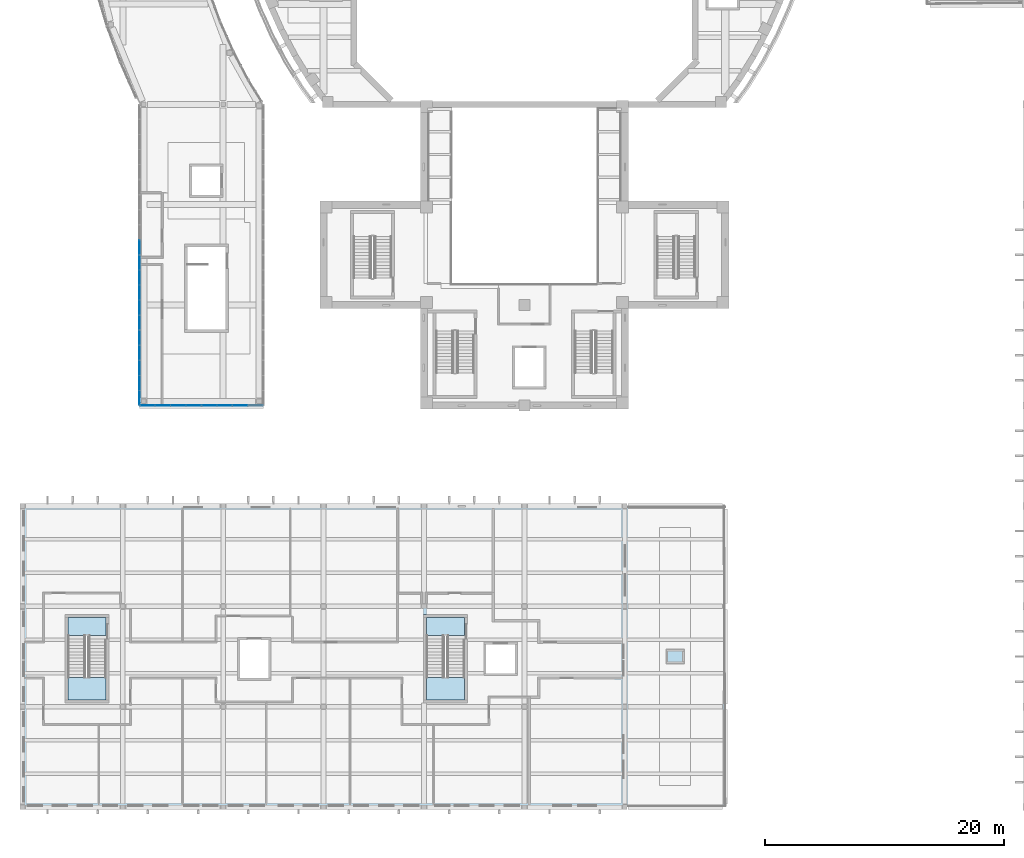
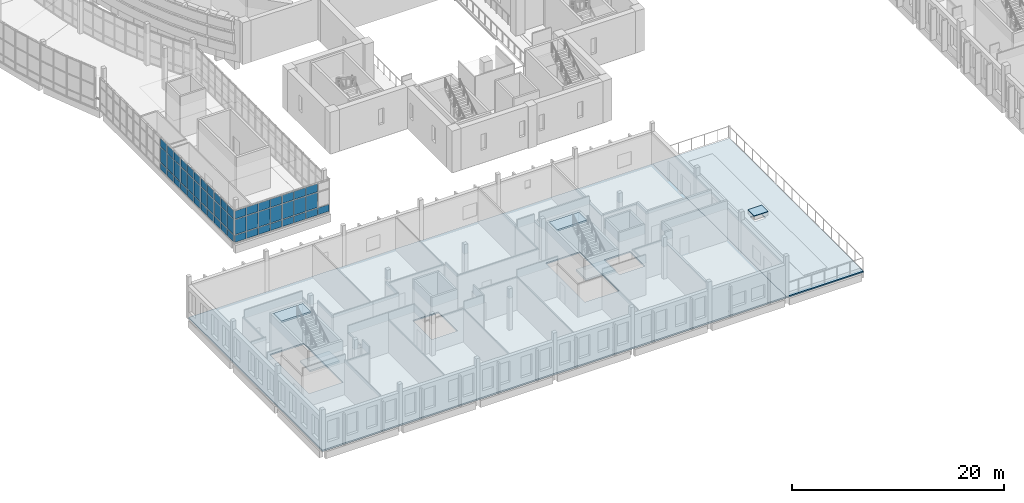
# One storey, part 35 of 103: 56 plates, 6 slabs, 1 opening, 7 elements without a shape of their own.
"""IFC4 building model written with IfcOpenShell, lengths in metres."""

import ifcopenshell
import ifcopenshell.guid

model = None  # the IFC model being written
_history = None  # IfcOwnerHistory: only IFC2X3 demands one
_inside = {}  # id of a spatial element -> (the spatial element, [elements in it])
_under = {}  # id of a project, library or spatial element -> (it, [spatial elements below it])
_declared = {}  # id of a project -> (the project, [libraries it declares])
_typed = {}  # id of a type object -> (the type object, [elements of that type])
_made_of = {}  # id of a material, layer set ... -> (it, [elements and type objects made of it])


def new_model(schema):
    """Start an empty IFC model of exactly this schema.

    Asked for "IFC4X3", IfcOpenShell would pick the latest addendum, in which some entities
    have other attributes; the version numbers below select the first issue.
    IFC2X3 requires an IfcOwnerHistory on every rooted entity: one is made here for all.
    """
    global model, _history
    if schema == "IFC4X3":
        model = ifcopenshell.file(schema_version=(4, 3, 0, 0))
    else:
        model = ifcopenshell.file(schema=schema)
    _inside.clear()
    _under.clear()
    _declared.clear()
    _typed.clear()
    _made_of.clear()
    _history = None
    if model.schema == "IFC2X3":
        org = make("IfcOrganization", Name="unknown")
        user = make(
            "IfcPersonAndOrganization",
            ThePerson=make("IfcPerson", FamilyName="unknown"),
            TheOrganization=org,
        )
        app = make(
            "IfcApplication",
            ApplicationDeveloper=org,
            Version="unknown",
            ApplicationFullName="unknown",
            ApplicationIdentifier="unknown",
        )
        _history = make(
            "IfcOwnerHistory",
            OwningUser=user,
            OwningApplication=app,
            ChangeAction="ADDED",
            CreationDate=0,
        )
    return model


def make(cls, **values):
    """One entity of the class cls with the attributes given. An attribute that is None is left unset."""
    return model.create_entity(
        cls, **{name: value for name, value in values.items() if value is not None}
    )


def rooted(cls, **values):
    """An entity with a GlobalId (a new one), such as an element, a storey or a relation."""
    return make(cls, GlobalId=ifcopenshell.guid.new(), OwnerHistory=_history, **values)


def si_unit(unit_type, name, prefix=None):
    """IfcSIUnit, for example si_unit("LENGTHUNIT", "METRE", prefix="MILLI")."""
    return make("IfcSIUnit", UnitType=unit_type, Prefix=prefix, Name=name)


def assignment(units):
    """IfcUnitAssignment: the units of a project."""
    return None if units is None else make("IfcUnitAssignment", Units=units)


def point(xyz):
    """IfcCartesianPoint."""
    return None if xyz is None else make("IfcCartesianPoint", Coordinates=xyz)


def direction(xyz):
    """IfcDirection."""
    return None if xyz is None else make("IfcDirection", DirectionRatios=xyz)


def frame(location, z_axis=None, x_axis=None):
    """IfcAxis2Placement3D, a coordinate frame: its origin and axes. An axis left out is left unset."""
    return make(
        "IfcAxis2Placement3D",
        Location=point(location),
        Axis=direction(z_axis),
        RefDirection=direction(x_axis),
    )


def frame_2d(location, x_axis=None):
    """IfcAxis2Placement2D, a coordinate frame in the plane: its origin and x axis."""
    return make(
        "IfcAxis2Placement2D", Location=point(location), RefDirection=direction(x_axis)
    )


def origin():
    """The frame at (0, 0, 0) with its axes left unset."""
    return frame((0.0, 0.0, 0.0))


def origin_2d():
    """The frame at (0, 0) in the plane with its x axis left unset."""
    return frame_2d((0.0, 0.0))


def place(relative_to, where):
    """IfcLocalPlacement: puts the frame where relative to a parent placement (None: the world)."""
    return make(
        "IfcLocalPlacement", PlacementRelTo=relative_to, RelativePlacement=where
    )


def context(
    kind, dimensions, precision=None, world=None, true_north=None, identifier=None
):
    """IfcGeometricRepresentationContext, for example the 3D "Model" context."""
    return make(
        "IfcGeometricRepresentationContext",
        ContextIdentifier=identifier,
        ContextType=kind,
        CoordinateSpaceDimension=dimensions,
        Precision=precision,
        WorldCoordinateSystem=world,
        TrueNorth=true_north,
    )


def subcontext(parent, identifier, kind, view, scale=None):
    """IfcGeometricRepresentationSubContext, for example "Body" below "Model"."""
    return make(
        "IfcGeometricRepresentationSubContext",
        ContextIdentifier=identifier,
        ContextType=kind,
        ParentContext=parent,
        TargetScale=scale,
        TargetView=view,
    )


def project(units=None, contexts=None):
    """IfcProject with its units and contexts."""
    return rooted(
        "IfcProject",
        Name="project",
        RepresentationContexts=contexts,
        UnitsInContext=assignment(units),
    )


def spatial(cls, under=None, at=None, **own):
    """A site, building, storey or space (cls), placed at a placement, below another one or the project."""
    s = rooted(cls, ObjectPlacement=at, **own)
    if under is not None:
        _under.setdefault(under.id(), (under, []))[1].append(s)
    return s


def polyline(points):
    """IfcPolyline through the points."""
    return make("IfcPolyline", Points=[point(p) for p in points])


def profile(cls, at=None, kind="AREA", **sizes):
    """A parametric profile (cls). Its sizes go by their IFC names, for example OverallWidth=200.0."""
    return make(cls, ProfileType=kind, Position=at, **sizes)


def rectangle(**sizes):
    """IfcRectangleProfileDef."""
    return profile("IfcRectangleProfileDef", **sizes)


def outline(outer, holes=None, kind="AREA"):
    """IfcArbitraryClosedProfileDef: a profile drawn as a closed curve; with holes, ...WithVoids."""
    if holes is None:
        return make("IfcArbitraryClosedProfileDef", ProfileType=kind, OuterCurve=outer)
    return make(
        "IfcArbitraryProfileDefWithVoids",
        ProfileType=kind,
        OuterCurve=outer,
        InnerCurves=holes,
    )


def extrude(swept, where, along, depth):
    """IfcExtrudedAreaSolid: the profile swept, set in the frame where, extruded along a direction by depth."""
    return make(
        "IfcExtrudedAreaSolid",
        SweptArea=swept,
        Position=where,
        ExtrudedDirection=direction(along),
        Depth=depth,
    )


def shape(context_of_items, identifier, shape_type, items):
    """IfcShapeRepresentation: the items that make up one representation, for example the "Body"."""
    return make(
        "IfcShapeRepresentation",
        ContextOfItems=context_of_items,
        RepresentationIdentifier=identifier,
        RepresentationType=shape_type,
        Items=items,
    )


def material(Name=None, Category=None):
    """IfcMaterial."""
    return make("IfcMaterial", Name=Name, Category=Category)


def layer(
    of_material, thickness, ventilated=None, Name=None, Category=None, Priority=None
):
    """IfcMaterialLayer: one layer of a wall or slab, of a material (None: an air gap)."""
    return make(
        "IfcMaterialLayer",
        Material=of_material,
        LayerThickness=thickness,
        IsVentilated=ventilated,
        Name=Name,
        Category=Category,
        Priority=Priority,
    )


def layer_set(layers, Name=None):
    """IfcMaterialLayerSet."""
    return make("IfcMaterialLayerSet", MaterialLayers=layers, LayerSetName=Name)


def made_of(thing, what):
    """Note that an element or type object is made of a material, layer set ...; save() writes the relation."""
    if what is not None:
        _made_of.setdefault(what.id(), (what, []))[1].append(thing)
    return thing


def type_object(cls, material=None, **own):
    """A type object (cls), such as IfcWallType, which elements share."""
    return made_of(rooted(cls, **own), material)


def element(
    cls,
    number,
    at=None,
    inside=None,
    cuts=None,
    type_object=None,
    material=None,
    context=None,
    identifier="Body",
    shape_type=None,
    held_by="IfcProductDefinitionShape",
    body=None,
    shapes=None,
    **own,
):
    """One element of the class cls, such as IfcWall. Its Tag is "e" and its number.

    at: its placement. inside: the storey or other place that contains it. cuts: it is an
    opening in that element (IfcRelVoidsElement). A single representation is given by context,
    identifier, shape_type and body (its items); several are given by shapes. held_by: the class
    of the entity that holds the representations. save() writes the other relations.
    """
    e = rooted(cls, Tag="e%d" % number, ObjectPlacement=at, **own)
    if body is not None:
        shapes = [shape(context, identifier, shape_type, body)]
    if shapes is not None:
        e.Representation = make(held_by, Representations=shapes)
    if inside is not None:
        _inside.setdefault(inside.id(), (inside, []))[1].append(e)
    if cuts is not None:
        rooted(
            "IfcRelVoidsElement", RelatingBuildingElement=cuts, RelatedOpeningElement=e
        )
    if type_object is not None:
        _typed.setdefault(type_object.id(), (type_object, []))[1].append(e)
    return made_of(e, material)


def fill(opening, filler):
    """IfcRelFillsElement: the door or window that sits in an opening."""
    return rooted(
        "IfcRelFillsElement",
        RelatingOpeningElement=opening,
        RelatedBuildingElement=filler,
    )


def aggregate(whole, parts):
    """IfcRelAggregates: a whole, such as a stair, and the parts it consists of."""
    return rooted("IfcRelAggregates", RelatingObject=whole, RelatedObjects=parts)


def save(model, path):
    """Write the relations noted so far, then the file.

    IfcRelAggregates (storeys below a building ...), IfcRelContainedInSpatialStructure (elements
    in a storey), IfcRelDefinesByType, IfcRelAssociatesMaterial and IfcRelDeclares: one each for
    every whole, place, type object, material and project.
    """
    for whole, parts in _under.values():
        aggregate(whole, parts)
    for where, things in _inside.values():
        rooted(
            "IfcRelContainedInSpatialStructure",
            RelatedElements=things,
            RelatingStructure=where,
        )
    for kind, things in _typed.values():
        rooted("IfcRelDefinesByType", RelatedObjects=things, RelatingType=kind)
    for what, things in _made_of.values():
        rooted("IfcRelAssociatesMaterial", RelatedObjects=things, RelatingMaterial=what)
    for by, libraries in _declared.values():
        rooted("IfcRelDeclares", RelatingContext=by, RelatedDefinitions=libraries)
    model.write(path)


model = new_model("IFC4")

# Units and contexts
model_context = context("Model", 3, precision=1e-05, world=origin(), true_north=direction((0.0, 1.0)))
body_context = subcontext(model_context, "Body", "Model", "MODEL_VIEW")
ifc_project = project(units=[si_unit("LENGTHUNIT", "METRE"), si_unit("AREAUNIT", "SQUARE_METRE"), si_unit("VOLUMEUNIT", "CUBIC_METRE"), si_unit("PLANEANGLEUNIT", "RADIAN"), si_unit("MASSUNIT", "GRAM", prefix="KILO")], contexts=[model_context])

# Site, building, storey
site_placement = place(None, origin())
site = spatial("IfcSite", under=ifc_project, at=site_placement, CompositionType="ELEMENT")
building_placement = place(site_placement, origin())
building = spatial("IfcBuilding", under=site, at=building_placement, Name="Larchfold Concert Hall", CompositionType="ELEMENT")
storey_placement = place(building_placement, frame((0.0, 0.0, 9.60009765625)))
storey = spatial("IfcBuildingStorey", under=building, at=storey_placement, Name="L02", CompositionType="ELEMENT", Elevation=9.60009765625)

# Curtain wall, plates
ifc_material_1 = material(Name="Anodised graphite aluminium curtain wall", Category="aluminium")
ifc_layer_1 = layer(ifc_material_1, 0.14990234375)
ifc_layer_set_1 = layer_set([ifc_layer_1], Name="Anodised graphite aluminium curtain wall")
curtain_wall_type = type_object("IfcCurtainWallType", Name="Curtain wall WG", PredefinedType="NOTDEFINED", material=ifc_layer_set_1)
curtain_wall_1_placement = place(storey_placement, origin())
curtain_wall_1 = element("IfcCurtainWall", 1, at=curtain_wall_1_placement, inside=storey, type_object=curtain_wall_type, Name="Curtain wall CW0283", PredefinedType="NOTDEFINED")
ifc_material_2 = material(Name="Insulated glazing unit, glass", Category="glass")
ifc_layer_2 = layer(ifc_material_2, 0.028076171875)
ifc_layer_set_2 = layer_set([ifc_layer_2], Name="Insulated glazing unit, glass")
plate_type_1 = type_object("IfcPlateType", Name="Glass panel 28", PredefinedType="CURTAIN_PANEL", material=ifc_layer_set_2)
plate_1_placement = place(storey_placement, frame((10.408447265625, 47.44482421875, 0.93994140625), z_axis=(0.0, 0.0, 1.0), x_axis=(0.0, -1.0, 0.0)))
plate_1 = element("IfcPlate", 2, at=plate_1_placement, type_object=plate_type_1, Name="CW0283 panel 5.2", PredefinedType="CURTAIN_PANEL", context=body_context, shape_type="SweptSolid", body=[
    extrude(rectangle(XDim=1.169921875, YDim=0.028076171875, at=origin_2d()), origin(), (0.0, 0.0, 1.0), 1.719970703125),
])
plate_2_placement = place(storey_placement, frame((10.408447265625, 47.44482421875, 2.740234375), z_axis=(0.0, 0.0, 1.0), x_axis=(0.0, -1.0, 0.0)))
plate_2 = element("IfcPlate", 3, at=plate_2_placement, type_object=plate_type_1, Name="CW0283 panel 5.3", PredefinedType="CURTAIN_PANEL", context=body_context, shape_type="SweptSolid", body=[
    extrude(rectangle(XDim=1.169921875, YDim=0.028076171875, at=origin_2d()), origin(), (0.0, 0.0, 1.0), 0.929931640625),
])

curtain_wall_2_placement = place(storey_placement, origin())
curtain_wall_2 = element("IfcCurtainWall", 4, at=curtain_wall_2_placement, inside=storey, type_object=curtain_wall_type, Name="Curtain wall CW0284", PredefinedType="NOTDEFINED")
plate_3_placement = place(storey_placement, frame((10.408447265625, 46.15478515625, 0.93994140625), z_axis=(0.0, 0.0, 1.0), x_axis=(0.0, -1.0, 0.0)))
plate_3 = element("IfcPlate", 5, at=plate_3_placement, type_object=plate_type_1, Name="CW0284 panel 1.2", PredefinedType="CURTAIN_PANEL", context=body_context, shape_type="SweptSolid", body=[
    extrude(rectangle(XDim=1.169921875, YDim=0.028076171875, at=origin_2d()), origin(), (0.0, 0.0, 1.0), 1.719970703125),
])
plate_4_placement = place(storey_placement, frame((10.408447265625, 46.15478515625, 2.740234375), z_axis=(0.0, 0.0, 1.0), x_axis=(0.0, -1.0, 0.0)))
plate_4 = element("IfcPlate", 6, at=plate_4_placement, type_object=plate_type_1, Name="CW0284 panel 1.3", PredefinedType="CURTAIN_PANEL", context=body_context, shape_type="SweptSolid", body=[
    extrude(rectangle(XDim=1.169921875, YDim=0.028076171875, at=origin_2d()), origin(), (0.0, 0.0, 1.0), 0.929931640625),
])
plate_5_placement = place(storey_placement, frame((10.408447265625, 44.909912109375, 0.93994140625), z_axis=(0.0, 0.0, 1.0), x_axis=(0.0, -1.0, 0.0)))
plate_5 = element("IfcPlate", 7, at=plate_5_placement, type_object=plate_type_1, Name="CW0284 panel 2.2", PredefinedType="CURTAIN_PANEL", context=body_context, shape_type="SweptSolid", body=[
    extrude(rectangle(XDim=1.199951171875, YDim=0.028076171875, at=origin_2d()), origin(), (0.0, 0.0, 1.0), 1.719970703125),
])
plate_6_placement = place(storey_placement, frame((10.408447265625, 44.909912109375, 2.740234375), z_axis=(0.0, 0.0, 1.0), x_axis=(0.0, -1.0, 0.0)))
plate_6 = element("IfcPlate", 8, at=plate_6_placement, type_object=plate_type_1, Name="CW0284 panel 2.3", PredefinedType="CURTAIN_PANEL", context=body_context, shape_type="SweptSolid", body=[
    extrude(rectangle(XDim=1.199951171875, YDim=0.028076171875, at=origin_2d()), origin(), (0.0, 0.0, 1.0), 0.929931640625),
])
plate_7_placement = place(storey_placement, frame((10.408447265625, 43.64990234375, 0.93994140625), z_axis=(0.0, 0.0, 1.0), x_axis=(0.0, -1.0, 0.0)))
plate_7 = element("IfcPlate", 9, at=plate_7_placement, type_object=plate_type_1, Name="CW0284 panel 3.2", PredefinedType="CURTAIN_PANEL", context=body_context, shape_type="SweptSolid", body=[
    extrude(rectangle(XDim=1.199951171875, YDim=0.028076171875, at=origin_2d()), origin(), (0.0, 0.0, 1.0), 1.719970703125),
])
plate_8_placement = place(storey_placement, frame((10.408447265625, 43.64990234375, 2.740234375), z_axis=(0.0, 0.0, 1.0), x_axis=(0.0, -1.0, 0.0)))
plate_8 = element("IfcPlate", 10, at=plate_8_placement, type_object=plate_type_1, Name="CW0284 panel 3.3", PredefinedType="CURTAIN_PANEL", context=body_context, shape_type="SweptSolid", body=[
    extrude(rectangle(XDim=1.199951171875, YDim=0.028076171875, at=origin_2d()), origin(), (0.0, 0.0, 1.0), 0.929931640625),
])
plate_9_placement = place(storey_placement, frame((10.408447265625, 42.389892578125, 0.93994140625), z_axis=(0.0, 0.0, 1.0), x_axis=(0.0, -1.0, 0.0)))
plate_9 = element("IfcPlate", 11, at=plate_9_placement, type_object=plate_type_1, Name="CW0284 panel 4.2", PredefinedType="CURTAIN_PANEL", context=body_context, shape_type="SweptSolid", body=[
    extrude(rectangle(XDim=1.199951171875, YDim=0.028076171875, at=origin_2d()), origin(), (0.0, 0.0, 1.0), 1.719970703125),
])
plate_10_placement = place(storey_placement, frame((10.408447265625, 42.389892578125, 2.740234375), z_axis=(0.0, 0.0, 1.0), x_axis=(0.0, -1.0, 0.0)))
plate_10 = element("IfcPlate", 12, at=plate_10_placement, type_object=plate_type_1, Name="CW0284 panel 4.3", PredefinedType="CURTAIN_PANEL", context=body_context, shape_type="SweptSolid", body=[
    extrude(rectangle(XDim=1.199951171875, YDim=0.028076171875, at=origin_2d()), origin(), (0.0, 0.0, 1.0), 0.929931640625),
])
plate_11_placement = place(storey_placement, frame((10.408447265625, 41.14501953125, 0.93994140625), z_axis=(0.0, 0.0, 1.0), x_axis=(0.0, -1.0, 0.0)))
plate_11 = element("IfcPlate", 13, at=plate_11_placement, type_object=plate_type_1, Name="CW0284 panel 5.2", PredefinedType="CURTAIN_PANEL", context=body_context, shape_type="SweptSolid", body=[
    extrude(rectangle(XDim=1.169921875, YDim=0.028076171875, at=origin_2d()), origin(), (0.0, 0.0, 1.0), 1.719970703125),
])
plate_12_placement = place(storey_placement, frame((10.408447265625, 41.14501953125, 2.740234375), z_axis=(0.0, 0.0, 1.0), x_axis=(0.0, -1.0, 0.0)))
plate_12 = element("IfcPlate", 14, at=plate_12_placement, type_object=plate_type_1, Name="CW0284 panel 5.3", PredefinedType="CURTAIN_PANEL", context=body_context, shape_type="SweptSolid", body=[
    extrude(rectangle(XDim=1.169921875, YDim=0.028076171875, at=origin_2d()), origin(), (0.0, 0.0, 1.0), 0.929931640625),
])

curtain_wall_3_placement = place(storey_placement, origin())
curtain_wall_3 = element("IfcCurtainWall", 15, at=curtain_wall_3_placement, inside=storey, type_object=curtain_wall_type, Name="Curtain wall CW0285", PredefinedType="NOTDEFINED")
plate_13_placement = place(storey_placement, frame((10.408447265625, 39.85498046875, 0.93994140625), z_axis=(0.0, 0.0, 1.0), x_axis=(0.0, -1.0, 0.0)))
plate_13 = element("IfcPlate", 16, at=plate_13_placement, type_object=plate_type_1, Name="CW0285 panel 1.2", PredefinedType="CURTAIN_PANEL", context=body_context, shape_type="SweptSolid", body=[
    extrude(rectangle(XDim=1.169921875, YDim=0.028076171875, at=origin_2d()), origin(), (0.0, 0.0, 1.0), 1.719970703125),
])
plate_14_placement = place(storey_placement, frame((10.408447265625, 39.85498046875, 2.740234375), z_axis=(0.0, 0.0, 1.0), x_axis=(0.0, -1.0, 0.0)))
plate_14 = element("IfcPlate", 17, at=plate_14_placement, type_object=plate_type_1, Name="CW0285 panel 1.3", PredefinedType="CURTAIN_PANEL", context=body_context, shape_type="SweptSolid", body=[
    extrude(rectangle(XDim=1.169921875, YDim=0.028076171875, at=origin_2d()), origin(), (0.0, 0.0, 1.0), 0.929931640625),
])
plate_15_placement = place(storey_placement, frame((10.408447265625, 38.610107421875, 0.93994140625), z_axis=(0.0, 0.0, 1.0), x_axis=(0.0, -1.0, 0.0)))
plate_15 = element("IfcPlate", 18, at=plate_15_placement, type_object=plate_type_1, Name="CW0285 panel 2.2", PredefinedType="CURTAIN_PANEL", context=body_context, shape_type="SweptSolid", body=[
    extrude(rectangle(XDim=1.199951171875, YDim=0.028076171875, at=origin_2d()), origin(), (0.0, 0.0, 1.0), 1.719970703125),
])
plate_16_placement = place(storey_placement, frame((10.408447265625, 38.610107421875, 2.740234375), z_axis=(0.0, 0.0, 1.0), x_axis=(0.0, -1.0, 0.0)))
plate_16 = element("IfcPlate", 19, at=plate_16_placement, type_object=plate_type_1, Name="CW0285 panel 2.3", PredefinedType="CURTAIN_PANEL", context=body_context, shape_type="SweptSolid", body=[
    extrude(rectangle(XDim=1.199951171875, YDim=0.028076171875, at=origin_2d()), origin(), (0.0, 0.0, 1.0), 0.929931640625),
])
plate_17_placement = place(storey_placement, frame((10.408447265625, 37.35009765625, 0.93994140625), z_axis=(0.0, 0.0, 1.0), x_axis=(0.0, -1.0, 0.0)))
plate_17 = element("IfcPlate", 20, at=plate_17_placement, type_object=plate_type_1, Name="CW0285 panel 3.2", PredefinedType="CURTAIN_PANEL", context=body_context, shape_type="SweptSolid", body=[
    extrude(rectangle(XDim=1.199951171875, YDim=0.028076171875, at=origin_2d()), origin(), (0.0, 0.0, 1.0), 1.719970703125),
])
plate_18_placement = place(storey_placement, frame((10.408447265625, 37.35009765625, 2.740234375), z_axis=(0.0, 0.0, 1.0), x_axis=(0.0, -1.0, 0.0)))
plate_18 = element("IfcPlate", 21, at=plate_18_placement, type_object=plate_type_1, Name="CW0285 panel 3.3", PredefinedType="CURTAIN_PANEL", context=body_context, shape_type="SweptSolid", body=[
    extrude(rectangle(XDim=1.199951171875, YDim=0.028076171875, at=origin_2d()), origin(), (0.0, 0.0, 1.0), 0.929931640625),
])
plate_19_placement = place(storey_placement, frame((10.408447265625, 36.08984375, 0.93994140625), z_axis=(0.0, 0.0, 1.0), x_axis=(0.0, -1.0, 0.0)))
plate_19 = element("IfcPlate", 22, at=plate_19_placement, type_object=plate_type_1, Name="CW0285 panel 4.2", PredefinedType="CURTAIN_PANEL", context=body_context, shape_type="SweptSolid", body=[
    extrude(rectangle(XDim=1.199951171875, YDim=0.028076171875, at=origin_2d()), origin(), (0.0, 0.0, 1.0), 1.719970703125),
])
plate_20_placement = place(storey_placement, frame((10.408447265625, 36.08984375, 2.740234375), z_axis=(0.0, 0.0, 1.0), x_axis=(0.0, -1.0, 0.0)))
plate_20 = element("IfcPlate", 23, at=plate_20_placement, type_object=plate_type_1, Name="CW0285 panel 4.3", PredefinedType="CURTAIN_PANEL", context=body_context, shape_type="SweptSolid", body=[
    extrude(rectangle(XDim=1.199951171875, YDim=0.028076171875, at=origin_2d()), origin(), (0.0, 0.0, 1.0), 0.929931640625),
])
plate_21_placement = place(storey_placement, frame((10.408447265625, 34.844970703125, 0.93994140625), z_axis=(0.0, 0.0, 1.0), x_axis=(0.0, -1.0, 0.0)))
plate_21 = element("IfcPlate", 24, at=plate_21_placement, type_object=plate_type_1, Name="CW0285 panel 5.2", PredefinedType="CURTAIN_PANEL", context=body_context, shape_type="SweptSolid", body=[
    extrude(rectangle(XDim=1.169921875, YDim=0.028076171875, at=origin_2d()), origin(), (0.0, 0.0, 1.0), 1.719970703125),
])
plate_22_placement = place(storey_placement, frame((10.408447265625, 34.844970703125, 2.740234375), z_axis=(0.0, 0.0, 1.0), x_axis=(0.0, -1.0, 0.0)))
plate_22 = element("IfcPlate", 25, at=plate_22_placement, type_object=plate_type_1, Name="CW0285 panel 5.3", PredefinedType="CURTAIN_PANEL", context=body_context, shape_type="SweptSolid", body=[
    extrude(rectangle(XDim=1.169921875, YDim=0.028076171875, at=origin_2d()), origin(), (0.0, 0.0, 1.0), 0.929931640625),
])

curtain_wall_4_placement = place(storey_placement, origin())
curtain_wall_4 = element("IfcCurtainWall", 26, at=curtain_wall_4_placement, inside=storey, type_object=curtain_wall_type, Name="Curtain wall CW0286", PredefinedType="NOTDEFINED")
plate_23_placement = place(storey_placement, frame((11.06982421875, 34.199951171875, 0.93994140625), z_axis=(0.0, 0.0, 1.0), x_axis=(1.0, 0.0, 0.0)))
plate_23 = element("IfcPlate", 27, at=plate_23_placement, type_object=plate_type_1, Name="CW0286 panel 1.2", PredefinedType="CURTAIN_PANEL", context=body_context, shape_type="SweptSolid", body=[
    extrude(rectangle(XDim=1.20263671875, YDim=0.028076171875, at=origin_2d()), origin(), (0.0, 0.0, 1.0), 1.719970703125),
])
plate_24_placement = place(storey_placement, frame((11.06982421875, 34.199951171875, 2.740234375), z_axis=(0.0, 0.0, 1.0), x_axis=(1.0, 0.0, 0.0)))
plate_24 = element("IfcPlate", 28, at=plate_24_placement, type_object=plate_type_1, Name="CW0286 panel 1.3", PredefinedType="CURTAIN_PANEL", context=body_context, shape_type="SweptSolid", body=[
    extrude(rectangle(XDim=1.20263671875, YDim=0.028076171875, at=origin_2d()), origin(), (0.0, 0.0, 1.0), 0.929931640625),
])
plate_25_placement = place(storey_placement, frame((12.34716796875, 34.199951171875, 0.93994140625), z_axis=(0.0, 0.0, 1.0), x_axis=(1.0, 0.0, 0.0)))
plate_25 = element("IfcPlate", 29, at=plate_25_placement, type_object=plate_type_1, Name="CW0286 panel 2.2", PredefinedType="CURTAIN_PANEL", context=body_context, shape_type="SweptSolid", body=[
    extrude(rectangle(XDim=1.232421875, YDim=0.028076171875, at=origin_2d()), origin(), (0.0, 0.0, 1.0), 1.719970703125),
])
plate_26_placement = place(storey_placement, frame((12.34716796875, 34.199951171875, 2.740234375), z_axis=(0.0, 0.0, 1.0), x_axis=(1.0, 0.0, 0.0)))
plate_26 = element("IfcPlate", 30, at=plate_26_placement, type_object=plate_type_1, Name="CW0286 panel 2.3", PredefinedType="CURTAIN_PANEL", context=body_context, shape_type="SweptSolid", body=[
    extrude(rectangle(XDim=1.232421875, YDim=0.028076171875, at=origin_2d()), origin(), (0.0, 0.0, 1.0), 0.929931640625),
])
plate_27_placement = place(storey_placement, frame((13.639892578125, 34.199951171875, 0.93994140625), z_axis=(0.0, 0.0, 1.0), x_axis=(1.0, 0.0, 0.0)))
plate_27 = element("IfcPlate", 31, at=plate_27_placement, type_object=plate_type_1, Name="CW0286 panel 3.2", PredefinedType="CURTAIN_PANEL", context=body_context, shape_type="SweptSolid", body=[
    extrude(rectangle(XDim=1.232421875, YDim=0.028076171875, at=origin_2d()), origin(), (0.0, 0.0, 1.0), 1.719970703125),
])
plate_28_placement = place(storey_placement, frame((13.639892578125, 34.199951171875, 2.740234375), z_axis=(0.0, 0.0, 1.0), x_axis=(1.0, 0.0, 0.0)))
plate_28 = element("IfcPlate", 32, at=plate_28_placement, type_object=plate_type_1, Name="CW0286 panel 3.3", PredefinedType="CURTAIN_PANEL", context=body_context, shape_type="SweptSolid", body=[
    extrude(rectangle(XDim=1.232421875, YDim=0.028076171875, at=origin_2d()), origin(), (0.0, 0.0, 1.0), 0.929931640625),
])
plate_29_placement = place(storey_placement, frame((14.917236328125, 34.199951171875, 0.93994140625), z_axis=(0.0, 0.0, 1.0), x_axis=(1.0, 0.0, 0.0)))
plate_29 = element("IfcPlate", 33, at=plate_29_placement, type_object=plate_type_1, Name="CW0286 panel 4.2", PredefinedType="CURTAIN_PANEL", context=body_context, shape_type="SweptSolid", body=[
    extrude(rectangle(XDim=1.20263671875, YDim=0.028076171875, at=origin_2d()), origin(), (0.0, 0.0, 1.0), 1.719970703125),
])
plate_30_placement = place(storey_placement, frame((14.917236328125, 34.199951171875, 2.740234375), z_axis=(0.0, 0.0, 1.0), x_axis=(1.0, 0.0, 0.0)))
plate_30 = element("IfcPlate", 34, at=plate_30_placement, type_object=plate_type_1, Name="CW0286 panel 4.3", PredefinedType="CURTAIN_PANEL", context=body_context, shape_type="SweptSolid", body=[
    extrude(rectangle(XDim=1.20263671875, YDim=0.028076171875, at=origin_2d()), origin(), (0.0, 0.0, 1.0), 0.929931640625),
])

curtain_wall_5_placement = place(storey_placement, origin())
curtain_wall_5 = element("IfcCurtainWall", 35, at=curtain_wall_5_placement, inside=storey, type_object=curtain_wall_type, Name="Curtain wall CW0287", PredefinedType="NOTDEFINED")
plate_31_placement = place(storey_placement, frame((16.239990234375, 34.199951171875, 0.93994140625), z_axis=(0.0, 0.0, 1.0), x_axis=(1.0, 0.0, 0.0)))
plate_31 = element("IfcPlate", 36, at=plate_31_placement, type_object=plate_type_1, Name="CW0287 panel 1.2", PredefinedType="CURTAIN_PANEL", context=body_context, shape_type="SweptSolid", body=[
    extrude(rectangle(XDim=1.20263671875, YDim=0.028076171875, at=origin_2d()), origin(), (0.0, 0.0, 1.0), 1.719970703125),
])
plate_32_placement = place(storey_placement, frame((16.239990234375, 34.199951171875, 2.740234375), z_axis=(0.0, 0.0, 1.0), x_axis=(1.0, 0.0, 0.0)))
plate_32 = element("IfcPlate", 37, at=plate_32_placement, type_object=plate_type_1, Name="CW0287 panel 1.3", PredefinedType="CURTAIN_PANEL", context=body_context, shape_type="SweptSolid", body=[
    extrude(rectangle(XDim=1.20263671875, YDim=0.028076171875, at=origin_2d()), origin(), (0.0, 0.0, 1.0), 0.929931640625),
])
plate_33_placement = place(storey_placement, frame((17.517333984375, 34.199951171875, 0.93994140625), z_axis=(0.0, 0.0, 1.0), x_axis=(1.0, 0.0, 0.0)))
plate_33 = element("IfcPlate", 38, at=plate_33_placement, type_object=plate_type_1, Name="CW0287 panel 2.2", PredefinedType="CURTAIN_PANEL", context=body_context, shape_type="SweptSolid", body=[
    extrude(rectangle(XDim=1.232421875, YDim=0.028076171875, at=origin_2d()), origin(), (0.0, 0.0, 1.0), 1.719970703125),
])
plate_34_placement = place(storey_placement, frame((17.517333984375, 34.199951171875, 2.740234375), z_axis=(0.0, 0.0, 1.0), x_axis=(1.0, 0.0, 0.0)))
plate_34 = element("IfcPlate", 39, at=plate_34_placement, type_object=plate_type_1, Name="CW0287 panel 2.3", PredefinedType="CURTAIN_PANEL", context=body_context, shape_type="SweptSolid", body=[
    extrude(rectangle(XDim=1.232421875, YDim=0.028076171875, at=origin_2d()), origin(), (0.0, 0.0, 1.0), 0.929931640625),
])
plate_35_placement = place(storey_placement, frame((18.81005859375, 34.199951171875, 0.93994140625), z_axis=(0.0, 0.0, 1.0), x_axis=(1.0, 0.0, 0.0)))
plate_35 = element("IfcPlate", 40, at=plate_35_placement, type_object=plate_type_1, Name="CW0287 panel 3.2", PredefinedType="CURTAIN_PANEL", context=body_context, shape_type="SweptSolid", body=[
    extrude(rectangle(XDim=1.232421875, YDim=0.028076171875, at=origin_2d()), origin(), (0.0, 0.0, 1.0), 1.719970703125),
])
plate_36_placement = place(storey_placement, frame((18.81005859375, 34.199951171875, 2.740234375), z_axis=(0.0, 0.0, 1.0), x_axis=(1.0, 0.0, 0.0)))
plate_36 = element("IfcPlate", 41, at=plate_36_placement, type_object=plate_type_1, Name="CW0287 panel 3.3", PredefinedType="CURTAIN_PANEL", context=body_context, shape_type="SweptSolid", body=[
    extrude(rectangle(XDim=1.232421875, YDim=0.028076171875, at=origin_2d()), origin(), (0.0, 0.0, 1.0), 0.929931640625),
])

# Plate
ifc_material_3 = material(Name="White insulated panel")
ifc_layer_3 = layer(ifc_material_3, 0.06005859375)
ifc_layer_set_3 = layer_set([ifc_layer_3], Name="White insulated panel")
plate_type_2 = type_object("IfcPlateType", Name="Insulated spandrel panel 60", PredefinedType="CURTAIN_PANEL", material=ifc_layer_set_3)
plate_37_placement = place(storey_placement, frame((10.408447265625, 47.44482421875, 0.080078125), z_axis=(0.0, 0.0, 1.0), x_axis=(0.0, -1.0, 0.0)))
plate_37 = element("IfcPlate", 42, at=plate_37_placement, type_object=plate_type_2, Name="CW0283 panel 5.1", PredefinedType="CURTAIN_PANEL", context=body_context, shape_type="SweptSolid", body=[
    extrude(rectangle(XDim=1.169921875, YDim=0.06005859375, at=origin_2d()), origin(), (0.0, 0.0, 1.0), 0.77978515625),
])

aggregate(curtain_wall_1, [plate_37, plate_1, plate_2])

plate_38_placement = place(storey_placement, frame((10.408447265625, 46.15478515625, 0.080078125), z_axis=(0.0, 0.0, 1.0), x_axis=(0.0, -1.0, 0.0)))
plate_38 = element("IfcPlate", 43, at=plate_38_placement, type_object=plate_type_2, Name="CW0284 panel 1.1", PredefinedType="CURTAIN_PANEL", context=body_context, shape_type="SweptSolid", body=[
    extrude(rectangle(XDim=1.169921875, YDim=0.06005859375, at=origin_2d()), origin(), (0.0, 0.0, 1.0), 0.77978515625),
])

plate_39_placement = place(storey_placement, frame((10.408447265625, 44.909912109375, 0.080078125), z_axis=(0.0, 0.0, 1.0), x_axis=(0.0, -1.0, 0.0)))
plate_39 = element("IfcPlate", 44, at=plate_39_placement, type_object=plate_type_2, Name="CW0284 panel 2.1", PredefinedType="CURTAIN_PANEL", context=body_context, shape_type="SweptSolid", body=[
    extrude(rectangle(XDim=1.199951171875, YDim=0.06005859375, at=origin_2d()), origin(), (0.0, 0.0, 1.0), 0.77978515625),
])

plate_40_placement = place(storey_placement, frame((10.408447265625, 43.64990234375, 0.080078125), z_axis=(0.0, 0.0, 1.0), x_axis=(0.0, -1.0, 0.0)))
plate_40 = element("IfcPlate", 45, at=plate_40_placement, type_object=plate_type_2, Name="CW0284 panel 3.1", PredefinedType="CURTAIN_PANEL", context=body_context, shape_type="SweptSolid", body=[
    extrude(rectangle(XDim=1.199951171875, YDim=0.06005859375, at=origin_2d()), origin(), (0.0, 0.0, 1.0), 0.77978515625),
])

plate_41_placement = place(storey_placement, frame((10.408447265625, 42.389892578125, 0.080078125), z_axis=(0.0, 0.0, 1.0), x_axis=(0.0, -1.0, 0.0)))
plate_41 = element("IfcPlate", 46, at=plate_41_placement, type_object=plate_type_2, Name="CW0284 panel 4.1", PredefinedType="CURTAIN_PANEL", context=body_context, shape_type="SweptSolid", body=[
    extrude(rectangle(XDim=1.199951171875, YDim=0.06005859375, at=origin_2d()), origin(), (0.0, 0.0, 1.0), 0.77978515625),
])

plate_42_placement = place(storey_placement, frame((10.408447265625, 41.14501953125, 0.080078125), z_axis=(0.0, 0.0, 1.0), x_axis=(0.0, -1.0, 0.0)))
plate_42 = element("IfcPlate", 47, at=plate_42_placement, type_object=plate_type_2, Name="CW0284 panel 5.1", PredefinedType="CURTAIN_PANEL", context=body_context, shape_type="SweptSolid", body=[
    extrude(rectangle(XDim=1.169921875, YDim=0.06005859375, at=origin_2d()), origin(), (0.0, 0.0, 1.0), 0.77978515625),
])

aggregate(curtain_wall_2, [plate_38, plate_3, plate_4, plate_39, plate_5, plate_6, plate_40, plate_7, plate_8, plate_41, plate_9, plate_10, plate_42, plate_11, plate_12])

plate_43_placement = place(storey_placement, frame((10.408447265625, 39.85498046875, 0.080078125), z_axis=(0.0, 0.0, 1.0), x_axis=(0.0, -1.0, 0.0)))
plate_43 = element("IfcPlate", 48, at=plate_43_placement, type_object=plate_type_2, Name="CW0285 panel 1.1", PredefinedType="CURTAIN_PANEL", context=body_context, shape_type="SweptSolid", body=[
    extrude(rectangle(XDim=1.169921875, YDim=0.06005859375, at=origin_2d()), origin(), (0.0, 0.0, 1.0), 0.77978515625),
])

plate_44_placement = place(storey_placement, frame((10.408447265625, 38.610107421875, 0.080078125), z_axis=(0.0, 0.0, 1.0), x_axis=(0.0, -1.0, 0.0)))
plate_44 = element("IfcPlate", 49, at=plate_44_placement, type_object=plate_type_2, Name="CW0285 panel 2.1", PredefinedType="CURTAIN_PANEL", context=body_context, shape_type="SweptSolid", body=[
    extrude(rectangle(XDim=1.199951171875, YDim=0.06005859375, at=origin_2d()), origin(), (0.0, 0.0, 1.0), 0.77978515625),
])

plate_45_placement = place(storey_placement, frame((10.408447265625, 37.35009765625, 0.080078125), z_axis=(0.0, 0.0, 1.0), x_axis=(0.0, -1.0, 0.0)))
plate_45 = element("IfcPlate", 50, at=plate_45_placement, type_object=plate_type_2, Name="CW0285 panel 3.1", PredefinedType="CURTAIN_PANEL", context=body_context, shape_type="SweptSolid", body=[
    extrude(rectangle(XDim=1.199951171875, YDim=0.06005859375, at=origin_2d()), origin(), (0.0, 0.0, 1.0), 0.77978515625),
])

plate_46_placement = place(storey_placement, frame((10.408447265625, 36.08984375, 0.080078125), z_axis=(0.0, 0.0, 1.0), x_axis=(0.0, -1.0, 0.0)))
plate_46 = element("IfcPlate", 51, at=plate_46_placement, type_object=plate_type_2, Name="CW0285 panel 4.1", PredefinedType="CURTAIN_PANEL", context=body_context, shape_type="SweptSolid", body=[
    extrude(rectangle(XDim=1.199951171875, YDim=0.06005859375, at=origin_2d()), origin(), (0.0, 0.0, 1.0), 0.77978515625),
])

plate_47_placement = place(storey_placement, frame((10.408447265625, 34.844970703125, 0.080078125), z_axis=(0.0, 0.0, 1.0), x_axis=(0.0, -1.0, 0.0)))
plate_47 = element("IfcPlate", 52, at=plate_47_placement, type_object=plate_type_2, Name="CW0285 panel 5.1", PredefinedType="CURTAIN_PANEL", context=body_context, shape_type="SweptSolid", body=[
    extrude(rectangle(XDim=1.169921875, YDim=0.06005859375, at=origin_2d()), origin(), (0.0, 0.0, 1.0), 0.77978515625),
])

aggregate(curtain_wall_3, [plate_43, plate_13, plate_14, plate_44, plate_15, plate_16, plate_45, plate_17, plate_18, plate_46, plate_19, plate_20, plate_47, plate_21, plate_22])

plate_48_placement = place(storey_placement, frame((11.06982421875, 34.199951171875, 0.080078125), z_axis=(0.0, 0.0, 1.0), x_axis=(1.0, 0.0, 0.0)))
plate_48 = element("IfcPlate", 53, at=plate_48_placement, type_object=plate_type_2, Name="CW0286 panel 1.1", PredefinedType="CURTAIN_PANEL", context=body_context, shape_type="SweptSolid", body=[
    extrude(rectangle(XDim=1.20263671875, YDim=0.06005859375, at=origin_2d()), origin(), (0.0, 0.0, 1.0), 0.77978515625),
])

plate_49_placement = place(storey_placement, frame((12.34716796875, 34.199951171875, 0.080078125), z_axis=(0.0, 0.0, 1.0), x_axis=(1.0, 0.0, 0.0)))
plate_49 = element("IfcPlate", 54, at=plate_49_placement, type_object=plate_type_2, Name="CW0286 panel 2.1", PredefinedType="CURTAIN_PANEL", context=body_context, shape_type="SweptSolid", body=[
    extrude(rectangle(XDim=1.232421875, YDim=0.06005859375, at=origin_2d()), origin(), (0.0, 0.0, 1.0), 0.77978515625),
])

plate_50_placement = place(storey_placement, frame((13.639892578125, 34.199951171875, 0.080078125), z_axis=(0.0, 0.0, 1.0), x_axis=(1.0, 0.0, 0.0)))
plate_50 = element("IfcPlate", 55, at=plate_50_placement, type_object=plate_type_2, Name="CW0286 panel 3.1", PredefinedType="CURTAIN_PANEL", context=body_context, shape_type="SweptSolid", body=[
    extrude(rectangle(XDim=1.232421875, YDim=0.06005859375, at=origin_2d()), origin(), (0.0, 0.0, 1.0), 0.77978515625),
])

plate_51_placement = place(storey_placement, frame((14.917236328125, 34.199951171875, 0.080078125), z_axis=(0.0, 0.0, 1.0), x_axis=(1.0, 0.0, 0.0)))
plate_51 = element("IfcPlate", 56, at=plate_51_placement, type_object=plate_type_2, Name="CW0286 panel 4.1", PredefinedType="CURTAIN_PANEL", context=body_context, shape_type="SweptSolid", body=[
    extrude(rectangle(XDim=1.20263671875, YDim=0.06005859375, at=origin_2d()), origin(), (0.0, 0.0, 1.0), 0.77978515625),
])

aggregate(curtain_wall_4, [plate_48, plate_23, plate_24, plate_49, plate_25, plate_26, plate_50, plate_27, plate_28, plate_51, plate_29, plate_30])

plate_52_placement = place(storey_placement, frame((16.239990234375, 34.199951171875, 0.080078125), z_axis=(0.0, 0.0, 1.0), x_axis=(1.0, 0.0, 0.0)))
plate_52 = element("IfcPlate", 57, at=plate_52_placement, type_object=plate_type_2, Name="CW0287 panel 1.1", PredefinedType="CURTAIN_PANEL", context=body_context, shape_type="SweptSolid", body=[
    extrude(rectangle(XDim=1.20263671875, YDim=0.06005859375, at=origin_2d()), origin(), (0.0, 0.0, 1.0), 0.77978515625),
])

plate_53_placement = place(storey_placement, frame((17.517333984375, 34.199951171875, 0.080078125), z_axis=(0.0, 0.0, 1.0), x_axis=(1.0, 0.0, 0.0)))
plate_53 = element("IfcPlate", 58, at=plate_53_placement, type_object=plate_type_2, Name="CW0287 panel 2.1", PredefinedType="CURTAIN_PANEL", context=body_context, shape_type="SweptSolid", body=[
    extrude(rectangle(XDim=1.232421875, YDim=0.06005859375, at=origin_2d()), origin(), (0.0, 0.0, 1.0), 0.77978515625),
])

plate_54_placement = place(storey_placement, frame((18.81005859375, 34.199951171875, 0.080078125), z_axis=(0.0, 0.0, 1.0), x_axis=(1.0, 0.0, 0.0)))
plate_54 = element("IfcPlate", 59, at=plate_54_placement, type_object=plate_type_2, Name="CW0287 panel 3.1", PredefinedType="CURTAIN_PANEL", context=body_context, shape_type="SweptSolid", body=[
    extrude(rectangle(XDim=1.232421875, YDim=0.06005859375, at=origin_2d()), origin(), (0.0, 0.0, 1.0), 0.77978515625),
])

plate_55_placement = place(storey_placement, frame((20.08740234375, 34.199951171875, 0.080078125), z_axis=(0.0, 0.0, 1.0), x_axis=(1.0, 0.0, 0.0)))
plate_55 = element("IfcPlate", 60, at=plate_55_placement, type_object=plate_type_2, Name="CW0287 panel 4.1", PredefinedType="CURTAIN_PANEL", context=body_context, shape_type="SweptSolid", body=[
    extrude(rectangle(XDim=1.20263671875, YDim=0.06005859375, at=origin_2d()), origin(), (0.0, 0.0, 1.0), 0.77978515625),
])

aggregate(curtain_wall_5, [plate_52, plate_31, plate_32, plate_53, plate_33, plate_34, plate_54, plate_35, plate_36, plate_55])

# Slab, opening, plate
ifc_material_4 = material(Name="Concrete C35/45", Category="concrete")
ifc_layer_4 = layer(ifc_material_4, 0.139892578125)
ifc_layer_set_4 = layer_set([ifc_layer_4], Name="Concrete C35/45")
slab_type_1 = type_object("IfcSlabType", Name="Roof slab 140 planted", PredefinedType="ROOF", material=ifc_layer_set_4)
slab_1_placement = place(storey_placement, frame((0.0, 0.0, -0.14013671875)))
slab_1 = element("IfcSlab", 61, at=slab_1_placement, inside=storey, type_object=slab_type_1, Name="Slab S0001", PredefinedType="ROOF", context=body_context, shape_type="SweptSolid", body=[
    extrude(outline(polyline([(59.39990234375, 25.800048828125), (51.010009765625, 25.800048828125), (51.010009765625, 0.60009765625), (59.39990234375, 0.60009765625), (59.39990234375, 25.800048828125)])), origin(), (0.0, 0.0, 1.0), 0.14013671875),
])
opening_placement = place(storey_placement, frame((0.0, 0.0, -0.150146484375)))
opening = element("IfcOpeningElement", 62, at=opening_placement, cuts=slab_1, Name="Opening RH02", PredefinedType="OPENING", context=body_context, shape_type="SweptSolid", body=[
    extrude(outline(polyline([(55.81005859375, 12.750244140625), (55.81005859375, 13.650146484375), (54.60986328125, 13.650146484375), (54.60986328125, 12.750244140625), (55.81005859375, 12.750244140625)])), origin(), (0.0, 0.0, 1.0), 0.16015625),
])
ifc_material_5 = material(Name="Insulated steel hatch lid", Category="steel")
ifc_layer_5 = layer(ifc_material_5, 0.06005859375)
ifc_layer_set_5 = layer_set([ifc_layer_5], Name="Insulated steel hatch lid")
plate_type_3 = type_object("IfcPlateType", Name="Roof hatch lid 60", PredefinedType="SHEET", material=ifc_layer_set_5)
plate_56_placement = place(storey_placement, frame((55.2099609375, 13.2001953125, 0.739990234375), z_axis=(0.0, 0.0, 1.0), x_axis=(1.0, 0.0, 0.0)))
plate_56 = element("IfcPlate", 63, at=plate_56_placement, inside=storey, type_object=plate_type_3, Name="Roof hatch lid RH02", PredefinedType="SHEET", context=body_context, shape_type="SweptSolid", body=[
    extrude(rectangle(XDim=1.5, YDim=1.199951171875, at=origin_2d()), origin(), (0.0, 0.0, 1.0), 0.06005859375),
])
fill(opening, plate_56)

# Slab
ifc_material_6 = material(Name="Concrete C35/45", Category="concrete")
ifc_layer_6 = layer(ifc_material_6, 0.159912109375)
ifc_layer_set_6 = layer_set([ifc_layer_6], Name="Concrete C35/45")
slab_type_2 = type_object("IfcSlabType", Name="Slab 160", PredefinedType="FLOOR", material=ifc_layer_set_6)
slab_2_placement = place(storey_placement, frame((0.0, 0.0, -0.16015625)))
element("IfcSlab", 64, at=slab_2_placement, inside=storey, type_object=slab_type_2, Name="Slab S0002", PredefinedType="FLOOR", context=body_context, shape_type="SweptSolid", body=[
    extrude(outline(polyline([(0.60009765625, 25.800048828125), (0.60009765625, 0.60009765625), (51.010009765625, 0.60009765625), (51.010009765625, 25.800048828125), (0.60009765625, 25.800048828125)]), holes=[polyline([(7.85009765625, 9.300048828125), (4.14990234375, 9.300048828125), (4.14990234375, 16.699951171875), (7.85009765625, 16.699951171875), (7.85009765625, 9.300048828125)]), polyline([(21.39990234375, 11.199951171875), (18.60009765625, 11.199951171875), (18.60009765625, 14.800048828125), (21.39990234375, 14.800048828125), (21.39990234375, 11.199951171875)]), polyline([(37.85009765625, 9.300048828125), (34.14990234375, 9.300048828125), (34.14990234375, 16.699951171875), (37.85009765625, 16.699951171875), (37.85009765625, 9.300048828125)]), polyline([(42.0, 11.60009765625), (39.199951171875, 11.60009765625), (39.199951171875, 14.39990234375), (42.0, 14.39990234375), (42.0, 11.60009765625)])]), origin(), (0.0, 0.0, 1.0), 0.16015625),
])

# Stair, slabs
ifc_material_7 = material(Name="Concrete C35/45", Category="concrete")
stair_type = type_object("IfcStairType", Name="Stair RC half-turn enclosed", PredefinedType="HALF_TURN_STAIR", material=ifc_material_7)
stair_1_placement = place(storey_placement, origin())
stair_1 = element("IfcStair", 65, at=stair_1_placement, inside=storey, type_object=stair_type, Name="Stair SW1", PredefinedType="HALF_TURN_STAIR")
ifc_material_8 = material(Name="Concrete C35/45", Category="concrete")
ifc_layer_7 = layer(ifc_material_8, 0.199951171875)
ifc_layer_set_7 = layer_set([ifc_layer_7], Name="Concrete C35/45")
slab_type_3 = type_object("IfcSlabType", Name="Stair landing RC 200", PredefinedType="LANDING", material=ifc_layer_set_7)
slab_3_placement = place(storey_placement, frame((0.0, 0.0, 2.199951171875)))
slab_3 = element("IfcSlab", 66, at=slab_3_placement, type_object=slab_type_3, Name="ST21 landing 1", PredefinedType="LANDING", context=body_context, shape_type="SweptSolid", body=[
    extrude(outline(polyline([(4.39990234375, 11.43994140625), (4.39990234375, 9.550048828125), (7.599853515625, 9.550048828125), (7.599853515625, 11.43994140625), (4.39990234375, 11.43994140625)])), origin(), (0.0, 0.0, 1.0), 0.199951171875),
])
slab_4_placement = place(storey_placement, frame((0.0, 0.0, 4.599853515625)))
slab_4 = element("IfcSlab", 67, at=slab_4_placement, type_object=slab_type_3, Name="ST21 landing 2", PredefinedType="LANDING", context=body_context, shape_type="SweptSolid", body=[
    extrude(outline(polyline([(4.39990234375, 16.449951171875), (4.39990234375, 14.949951171875), (7.60009765625, 14.949951171875), (7.60009765625, 16.449951171875), (4.39990234375, 16.449951171875)])), origin(), (0.0, 0.0, 1.0), 0.199951171875),
])
aggregate(stair_1, [slab_3, slab_4])

stair_2_placement = place(storey_placement, origin())
stair_2 = element("IfcStair", 68, at=stair_2_placement, inside=storey, type_object=stair_type, Name="Stair SW2", PredefinedType="HALF_TURN_STAIR")
slab_5_placement = place(storey_placement, frame((0.0, 0.0, 2.199951171875)))
slab_5 = element("IfcSlab", 69, at=slab_5_placement, type_object=slab_type_3, Name="ST22 landing 1", PredefinedType="LANDING", context=body_context, shape_type="SweptSolid", body=[
    extrude(outline(polyline([(34.39990234375, 11.43994140625), (34.39990234375, 9.550048828125), (37.599853515625, 9.550048828125), (37.599853515625, 11.43994140625), (34.39990234375, 11.43994140625)])), origin(), (0.0, 0.0, 1.0), 0.199951171875),
])
slab_6_placement = place(storey_placement, frame((0.0, 0.0, 4.599853515625)))
slab_6 = element("IfcSlab", 70, at=slab_6_placement, type_object=slab_type_3, Name="ST22 landing 2", PredefinedType="LANDING", context=body_context, shape_type="SweptSolid", body=[
    extrude(outline(polyline([(34.39990234375, 16.449951171875), (34.39990234375, 14.949951171875), (37.60009765625, 14.949951171875), (37.60009765625, 16.449951171875), (34.39990234375, 16.449951171875)])), origin(), (0.0, 0.0, 1.0), 0.199951171875),
])
aggregate(stair_2, [slab_5, slab_6])

save(model, "model.ifc")
